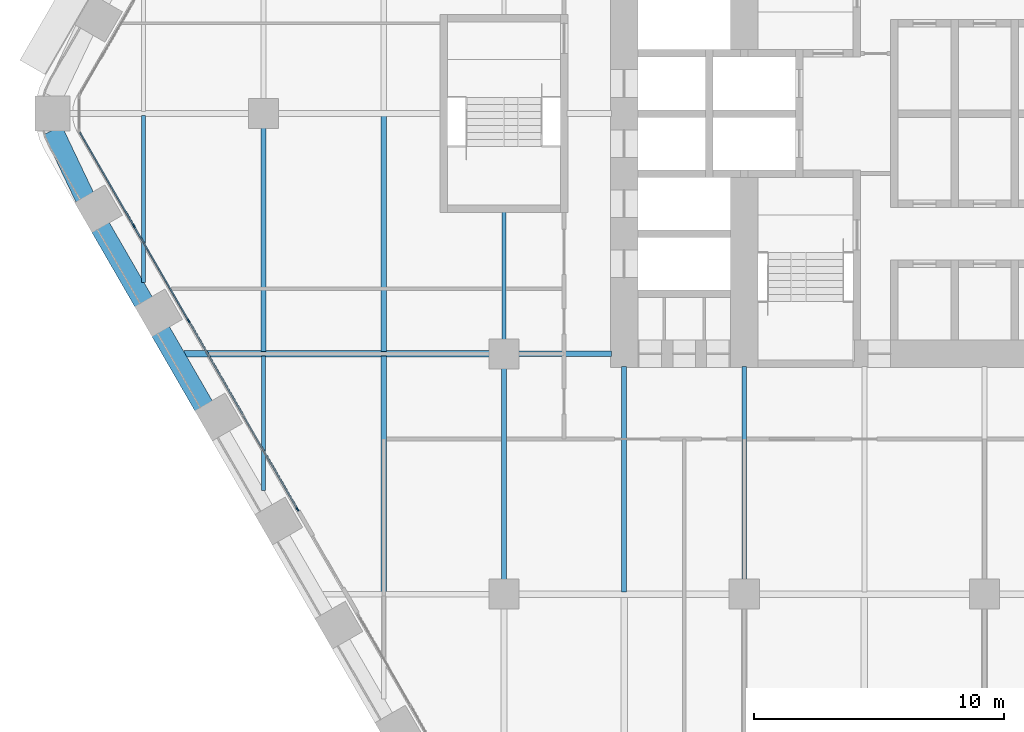
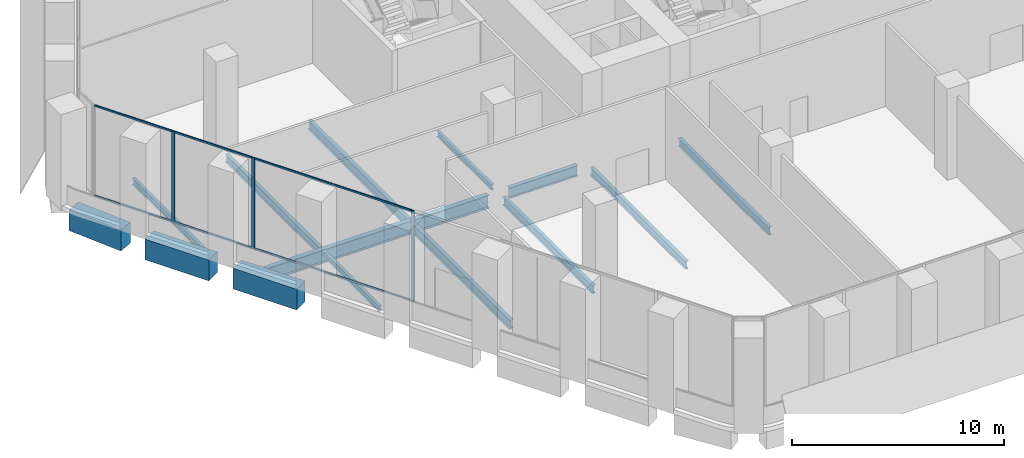
# One storey, part 3 of 27: 14 beams, 11 members, 1 element without a shape of its own.
"""IFC4 building model written with IfcOpenShell, lengths in metres."""

from ifc_helpers import new_model, si_unit, direction, frame, origin, origin_2d, place, context, subcontext, project, spatial, rectangle, i_section, extrude, material, material_profile, profile_set, type_object, element, aggregate, save


model = new_model("IFC4")

# Units and contexts
model_context = context("Model", 3, precision=1e-05, world=origin(), true_north=direction((0.0, 1.0)))
body_context = subcontext(model_context, "Body", "Model", "MODEL_VIEW")
ifc_project = project(units=[si_unit("LENGTHUNIT", "METRE"), si_unit("AREAUNIT", "SQUARE_METRE"), si_unit("VOLUMEUNIT", "CUBIC_METRE"), si_unit("PLANEANGLEUNIT", "RADIAN"), si_unit("MASSUNIT", "GRAM", prefix="KILO")], contexts=[model_context])

# Site, building, storey
site_placement = place(None, origin())
site = spatial("IfcSite", under=ifc_project, at=site_placement, CompositionType="ELEMENT")
building_placement = place(site_placement, origin())
building = spatial("IfcBuilding", under=site, at=building_placement, Name="Kolab Exchange Tower", CompositionType="ELEMENT")
storey_placement = place(building_placement, frame((0.0, 0.0, 44.39990234375)))
storey = spatial("IfcBuildingStorey", under=building, at=storey_placement, Name="L08", CompositionType="ELEMENT", Elevation=44.39990234375)

# Beams
ifc_material_1 = material(Name="Steel S355", Category="steel")
ifc_material_profile_1 = material_profile(ifc_material_1, i_section(OverallWidth=0.1650390625, OverallDepth=0.31005859375, WebThickness=0.005859375, FlangeThickness=0.009765625, at=origin_2d()), Name="W310X39")
ifc_profile_set_1 = profile_set([ifc_material_profile_1], Name="Steel S355")
beam_type_1 = type_object("IfcBeamType", Name="FLOOR BEAM W310X39", PredefinedType="BEAM", material=ifc_profile_set_1)
beam_1_placement = place(storey_placement, frame((-28.800048828125, -15.067626953125, -0.40478515625), z_axis=(0.0, 1.0, 0.0), x_axis=(-1.0, 0.0, 0.0)))
element("IfcBeam", 1, at=beam_1_placement, inside=storey, type_object=beam_type_1, Name="beam/L08/fr/002", PredefinedType="BEAM", context=body_context, shape_type="SweptSolid", body=[
    extrude(i_section(OverallWidth=0.1650390625, OverallDepth=0.31005859375, WebThickness=0.005859375, FlangeThickness=0.009765625, at=origin_2d()), origin(), (0.0, 0.0, 1.0), 5.3740234375),
])
beam_2_placement = place(storey_placement, frame((-19.199951171875, -9.0400390625, -0.40478515625), z_axis=(0.0, 1.0, 0.0), x_axis=(-1.0, 0.0, 0.0)))
element("IfcBeam", 2, at=beam_2_placement, inside=storey, type_object=beam_type_1, Name="beam/L08/fr/014", PredefinedType="BEAM", context=body_context, shape_type="SweptSolid", body=[
    extrude(i_section(OverallWidth=0.1650390625, OverallDepth=0.31005859375, WebThickness=0.005859375, FlangeThickness=0.009765625, at=origin_2d()), origin(), (0.0, 0.0, 1.0), 5.130126953125),
])
ifc_material_profile_2 = material_profile(ifc_material_1, i_section(OverallWidth=0.1708984375, OverallDepth=0.35498046875, WebThickness=0.007080078125, FlangeThickness=0.01171875, at=origin_2d()), Name="W360X51")
ifc_profile_set_2 = profile_set([ifc_material_profile_2], Name="Steel S355")
beam_type_2 = type_object("IfcBeamType", Name="FLOOR BEAM W360X51", PredefinedType="BEAM", material=ifc_profile_set_2)
beam_3_placement = place(storey_placement, frame((-33.60009765625, -6.75390625, -0.427490234375), z_axis=(0.0, 1.0, 0.0), x_axis=(-1.0, 0.0, 0.0)))
element("IfcBeam", 3, at=beam_3_placement, inside=storey, type_object=beam_type_2, Name="beam/L08/fr/000", PredefinedType="BEAM", context=body_context, shape_type="SweptSolid", body=[
    extrude(i_section(OverallWidth=0.1708984375, OverallDepth=0.35498046875, WebThickness=0.007080078125, FlangeThickness=0.01171875, at=origin_2d()), origin(), (0.0, 0.0, 1.0), 6.679931640625),
])
ifc_material_profile_3 = material_profile(ifc_material_1, i_section(OverallWidth=0.18994140625, OverallDepth=0.45703125, WebThickness=0.009033203125, FlangeThickness=0.014404296875, at=origin_2d()), Name="W460X74")
ifc_profile_set_3 = profile_set([ifc_material_profile_3], Name="Steel S355")
beam_type_3 = type_object("IfcBeamType", Name="FLOOR BEAM W460X74", PredefinedType="BEAM", material=ifc_profile_set_3)
beam_4_placement = place(storey_placement, frame((-28.800048828125, -9.506591796875, -0.478515625), z_axis=(0.0, 1.0, 0.0), x_axis=(-1.0, 0.0, 0.0)))
element("IfcBeam", 4, at=beam_4_placement, inside=storey, type_object=beam_type_3, Name="beam/L08/fr/003", PredefinedType="BEAM", context=body_context, shape_type="SweptSolid", body=[
    extrude(i_section(OverallWidth=0.18994140625, OverallDepth=0.45703125, WebThickness=0.009033203125, FlangeThickness=0.014404296875, at=origin_2d()), origin(), (0.0, 0.0, 1.0), 8.946533203125),
])
beam_5_placement = place(storey_placement, frame((-19.199951171875, -18.639892578125, -0.478515625), z_axis=(0.0, 1.0, 0.0), x_axis=(-1.0, 0.0, 0.0)))
element("IfcBeam", 5, at=beam_5_placement, inside=storey, type_object=beam_type_3, Name="beam/L08/fr/013", PredefinedType="BEAM", context=body_context, shape_type="SweptSolid", body=[
    extrude(i_section(OverallWidth=0.18994140625, OverallDepth=0.45703125, WebThickness=0.009033203125, FlangeThickness=0.014404296875, at=origin_2d()), origin(), (0.0, 0.0, 1.0), 8.47998046875),
])
beam_6_placement = place(storey_placement, frame((-14.39990234375, -19.113037109375, -0.478515625), z_axis=(0.0, 1.0, 0.0), x_axis=(-1.0, 0.0, 0.0)))
element("IfcBeam", 6, at=beam_6_placement, inside=storey, type_object=beam_type_3, Name="beam/L08/fr/019", PredefinedType="BEAM", context=body_context, shape_type="SweptSolid", body=[
    extrude(i_section(OverallWidth=0.18994140625, OverallDepth=0.45703125, WebThickness=0.009033203125, FlangeThickness=0.014404296875, at=origin_2d()), origin(), (0.0, 0.0, 1.0), 9.0029296875),
])
beam_7_placement = place(storey_placement, frame((-9.60009765625, -18.639892578125, -0.478515625), z_axis=(0.0, 1.0, 0.0), x_axis=(-1.0, 0.0, 0.0)))
element("IfcBeam", 7, at=beam_7_placement, inside=storey, type_object=beam_type_3, Name="beam/L08/fr/023", PredefinedType="BEAM", context=body_context, shape_type="SweptSolid", body=[
    extrude(i_section(OverallWidth=0.18994140625, OverallDepth=0.45703125, WebThickness=0.009033203125, FlangeThickness=0.014404296875, at=origin_2d()), origin(), (0.0, 0.0, 1.0), 8.52978515625),
])
ifc_material_profile_4 = material_profile(ifc_material_1, i_section(OverallWidth=0.208984375, OverallDepth=0.532958984375, WebThickness=0.01025390625, FlangeThickness=0.015625, at=origin_2d()), Name="W530X92")
ifc_profile_set_4 = profile_set([ifc_material_profile_4], Name="Steel S355")
beam_type_4 = type_object("IfcBeamType", Name="FLOOR BEAM W530X92", PredefinedType="BEAM", material=ifc_profile_set_4)
beam_8_placement = place(storey_placement, frame((-24.0, -19.1259765625, -0.516357421875), z_axis=(0.0, 1.0, 0.0), x_axis=(-1.0, 0.0, 0.0)))
element("IfcBeam", 8, at=beam_8_placement, inside=storey, type_object=beam_type_4, Name="beam/L08/fr/007", PredefinedType="BEAM", context=body_context, shape_type="SweptSolid", body=[
    extrude(i_section(OverallWidth=0.208984375, OverallDepth=0.532958984375, WebThickness=0.01025390625, FlangeThickness=0.015625, at=origin_2d()), origin(), (0.0, 0.0, 1.0), 9.432373046875),
])
beam_9_placement = place(storey_placement, frame((-24.0, -9.506591796875, -0.516357421875), z_axis=(0.0, 1.0, 0.0), x_axis=(-1.0, 0.0, 0.0)))
element("IfcBeam", 9, at=beam_9_placement, inside=storey, type_object=beam_type_4, Name="beam/L08/fr/008", PredefinedType="BEAM", context=body_context, shape_type="SweptSolid", body=[
    extrude(i_section(OverallWidth=0.208984375, OverallDepth=0.532958984375, WebThickness=0.01025390625, FlangeThickness=0.015625, at=origin_2d()), origin(), (0.0, 0.0, 1.0), 9.4326171875),
])
ifc_material_profile_5 = material_profile(ifc_material_1, i_section(OverallWidth=0.22802734375, OverallDepth=0.60791015625, WebThickness=0.01123046875, FlangeThickness=0.017333984375, at=origin_2d()), Name="W610X113")
ifc_profile_set_5 = profile_set([ifc_material_profile_5], Name="Steel S355")
beam_type_5 = type_object("IfcBeamType", Name="FLOOR GIRDER W610X113", PredefinedType="BEAM", material=ifc_profile_set_5)
beam_10_placement = place(storey_placement, frame((-18.639892578125, -9.60009765625, -0.553955078125), z_axis=(1.0, 0.0, 0.0), x_axis=(0.0, 1.0, 0.0)))
element("IfcBeam", 10, at=beam_10_placement, inside=storey, type_object=beam_type_5, Name="beam/L08/gd/007", PredefinedType="BEAM", context=body_context, shape_type="SweptSolid", body=[
    extrude(i_section(OverallWidth=0.22802734375, OverallDepth=0.60791015625, WebThickness=0.01123046875, FlangeThickness=0.017333984375, at=origin_2d()), origin(), (0.0, 0.0, 1.0), 3.72998046875),
])
ifc_material_profile_6 = material_profile(ifc_material_1, i_section(OverallWidth=0.26708984375, OverallDepth=0.761962890625, WebThickness=0.014404296875, FlangeThickness=0.021484375, at=origin_2d()), Name="W760X173")
ifc_profile_set_6 = profile_set([ifc_material_profile_6], Name="Steel S355")
beam_type_6 = type_object("IfcBeamType", Name="FLOOR GIRDER W760X173", PredefinedType="BEAM", material=ifc_profile_set_6)
beam_11_placement = place(storey_placement, frame((-31.9736328125, -9.60009765625, -0.630859375), z_axis=(1.0, 0.0, 0.0), x_axis=(0.0, 1.0, 0.0)))
element("IfcBeam", 11, at=beam_11_placement, inside=storey, type_object=beam_type_6, Name="beam/L08/gd/001", PredefinedType="BEAM", context=body_context, shape_type="SweptSolid", body=[
    extrude(i_section(OverallWidth=0.26708984375, OverallDepth=0.761962890625, WebThickness=0.014404296875, FlangeThickness=0.021484375, at=origin_2d()), origin(), (0.0, 0.0, 1.0), 12.213623046875),
])
ifc_material_2 = material(Name="Concrete C80/95", Category="concrete")
ifc_material_profile_7 = material_profile(ifc_material_2, rectangle(XDim=0.800048828125, YDim=1.199951171875, at=origin_2d()), Name="RC800X1200")
ifc_profile_set_7 = profile_set([ifc_material_profile_7], Name="Concrete C80/95")
beam_type_7 = type_object("IfcBeamType", Name="SPANDREL BEAM 800X1200 C80/95", PredefinedType="BEAM", material=ifc_profile_set_7)
beam_12_placement = place(storey_placement, frame((-31.18359375, -11.69921875, -0.849853515625), z_axis=(-0.499979528911, 0.866037222451, 0.0), x_axis=(-0.866037222451, -0.499979528911, 0.0)))
element("IfcBeam", 12, at=beam_12_placement, inside=storey, type_object=beam_type_7, Name="beam/L08/sp/F5-06", PredefinedType="BEAM", context=body_context, shape_type="SweptSolid", body=[
    extrude(rectangle(XDim=0.800048828125, YDim=1.199951171875, at=origin_2d()), origin(), (0.0, 0.0, 1.0), 3.480224609375),
])
beam_13_placement = place(storey_placement, frame((-33.58349609375, -7.542236328125, -0.849853515625), z_axis=(-0.500009906705, 0.86601968407, 0.0), x_axis=(-0.86601968407, -0.500009906705, 0.0)))
element("IfcBeam", 13, at=beam_13_placement, inside=storey, type_object=beam_type_7, Name="beam/L08/sp/F5-07", PredefinedType="BEAM", context=body_context, shape_type="SweptSolid", body=[
    extrude(rectangle(XDim=0.800048828125, YDim=1.199951171875, at=origin_2d()), origin(), (0.0, 0.0, 1.0), 3.47998046875),
])
beam_14_placement = place(storey_placement, frame((-35.93798828125, -3.35888671875, -0.849853515625), z_axis=(-0.429555669245, 0.903040379507, 0.0), x_axis=(-0.903040379507, -0.429555669245, 0.0)))
element("IfcBeam", 14, at=beam_14_placement, inside=storey, type_object=beam_type_7, Name="beam/L08/sp/F5-08", PredefinedType="BEAM", context=body_context, shape_type="SweptSolid", body=[
    extrude(rectangle(XDim=0.800048828125, YDim=1.199951171875, at=origin_2d()), origin(), (0.0, 0.0, 1.0), 2.984375),
])

# Curtain wall, members
ifc_material_3 = material(Name="Aluminium EN AW-6063 T6", Category="aluminium")
curtain_wall_type = type_object("IfcCurtainWallType", Name="UNITISED LOW ZONE CURTAIN WALL", PredefinedType="NOTDEFINED", material=ifc_material_3)
curtain_wall_placement = place(storey_placement, origin())
curtain_wall = element("IfcCurtainWall", 15, at=curtain_wall_placement, inside=storey, type_object=curtain_wall_type, Name="cw/L08/F5-2", PredefinedType="NOTDEFINED")
ifc_material_profile_8 = material_profile(ifc_material_3, rectangle(XDim=0.06005859375, YDim=0.159912109375, at=origin_2d()), Name="RECT 60X160")
ifc_profile_set_8 = profile_set([ifc_material_profile_8], Name="Aluminium EN AW-6063 T6")
member_type_1 = type_object("IfcMemberType", Name="UNITISED LOW ZONE MULLION 60 X 160", PredefinedType="MULLION", material=ifc_profile_set_8)
member_1_placement = place(storey_placement, frame((-27.44677734375, -15.811767578125, 0.0), z_axis=(0.0, 0.0, 1.0), x_axis=(-0.866025422102, -0.499999968274, 0.0)))
member_1 = element("IfcMember", 16, at=member_1_placement, type_object=member_type_1, Name="CW1 mullion 1", PredefinedType="MULLION", context=body_context, shape_type="SweptSolid", body=[
    extrude(rectangle(XDim=0.06005859375, YDim=0.159912109375, at=origin_2d()), origin(), (0.0, 0.0, 1.0), 5.25),
])
member_2_placement = place(storey_placement, frame((-31.798583984375, -8.27392578125, 0.0), z_axis=(0.0, 0.0, 1.0), x_axis=(-0.866025422102, -0.499999968274, 0.0)))
member_2 = element("IfcMember", 17, at=member_2_placement, type_object=member_type_1, Name="CW1 mullion 3", PredefinedType="MULLION", context=body_context, shape_type="SweptSolid", body=[
    extrude(rectangle(XDim=0.06005859375, YDim=0.159912109375, at=origin_2d()), origin(), (0.0, 0.0, 1.0), 5.25),
])
member_3_placement = place(storey_placement, frame((-33.982177734375, -4.491943359375, 0.0), z_axis=(0.0, 0.0, 1.0), x_axis=(-0.866025422102, -0.499999968274, 0.0)))
member_3 = element("IfcMember", 18, at=member_3_placement, type_object=member_type_1, Name="CW1 mullion 4", PredefinedType="MULLION", context=body_context, shape_type="SweptSolid", body=[
    extrude(rectangle(XDim=0.06005859375, YDim=0.159912109375, at=origin_2d()), origin(), (0.0, 0.0, 1.0), 5.25),
])
ifc_material_profile_9 = material_profile(ifc_material_3, rectangle(XDim=0.06005859375, YDim=0.10009765625, at=origin_2d()), Name="RECT 60X100")
ifc_profile_set_9 = profile_set([ifc_material_profile_9], Name="Aluminium EN AW-6063 T6")
member_type_2 = type_object("IfcMemberType", Name="UNITISED LOW ZONE TRANSOM 60 X 100", PredefinedType="USERDEFINED", material=ifc_profile_set_9)
member_4_placement = place(storey_placement, frame((-27.461669921875, -15.78564453125, 0.030029296875), z_axis=(-0.500000816281, 0.866024932504, 0.0), x_axis=(-0.866024932504, -0.500000816281, 0.0)))
member_4 = element("IfcMember", 19, at=member_4_placement, type_object=member_type_2, Name="CW1 transom 1.1", ObjectType="TRANSOM", PredefinedType="USERDEFINED", context=body_context, shape_type="SweptSolid", body=[
    extrude(rectangle(XDim=0.06005859375, YDim=0.10009765625, at=origin_2d()), origin(), (0.0, 0.0, 1.0), 4.27685546875),
])
member_5_placement = place(storey_placement, frame((-27.461669921875, -15.78564453125, 5.22021484375), z_axis=(-0.500000816281, 0.866024932504, 0.0), x_axis=(-0.866024932504, -0.500000816281, 0.0)))
member_5 = element("IfcMember", 20, at=member_5_placement, type_object=member_type_2, Name="CW1 transom 1.2", ObjectType="TRANSOM", PredefinedType="USERDEFINED", context=body_context, shape_type="SweptSolid", body=[
    extrude(rectangle(XDim=0.06005859375, YDim=0.10009765625, at=origin_2d()), origin(), (0.0, 0.0, 1.0), 4.27685546875),
])
member_6_placement = place(storey_placement, frame((-29.630126953125, -12.02978515625, 0.030029296875), z_axis=(-0.500010313095, 0.866019449435, 0.0), x_axis=(-0.866019449435, -0.500010313095, 0.0)))
member_6 = element("IfcMember", 21, at=member_6_placement, type_object=member_type_2, Name="CW1 transom 2.1", ObjectType="TRANSOM", PredefinedType="USERDEFINED", context=body_context, shape_type="SweptSolid", body=[
    extrude(rectangle(XDim=0.06005859375, YDim=0.10009765625, at=origin_2d()), origin(), (0.0, 0.0, 1.0), 4.30712890625),
])
member_7_placement = place(storey_placement, frame((-29.630126953125, -12.02978515625, 5.22021484375), z_axis=(-0.500010313095, 0.866019449435, 0.0), x_axis=(-0.866019449435, -0.500010313095, 0.0)))
member_7 = element("IfcMember", 22, at=member_7_placement, type_object=member_type_2, Name="CW1 transom 2.2", ObjectType="TRANSOM", PredefinedType="USERDEFINED", context=body_context, shape_type="SweptSolid", body=[
    extrude(rectangle(XDim=0.06005859375, YDim=0.10009765625, at=origin_2d()), origin(), (0.0, 0.0, 1.0), 4.30712890625),
])
member_8_placement = place(storey_placement, frame((-31.813720703125, -8.247802734375, 0.030029296875), z_axis=(-0.499967798808, 0.866043994353, 0.0), x_axis=(-0.866043994353, -0.499967798808, 0.0)))
member_8 = element("IfcMember", 23, at=member_8_placement, type_object=member_type_2, Name="CW1 transom 3.1", ObjectType="TRANSOM", PredefinedType="USERDEFINED", context=body_context, shape_type="SweptSolid", body=[
    extrude(rectangle(XDim=0.06005859375, YDim=0.10009765625, at=origin_2d()), origin(), (0.0, 0.0, 1.0), 4.306884765625),
])
member_9_placement = place(storey_placement, frame((-31.813720703125, -8.247802734375, 5.22021484375), z_axis=(-0.499967798808, 0.866043994353, 0.0), x_axis=(-0.866043994353, -0.499967798808, 0.0)))
member_9 = element("IfcMember", 24, at=member_9_placement, type_object=member_type_2, Name="CW1 transom 3.2", ObjectType="TRANSOM", PredefinedType="USERDEFINED", context=body_context, shape_type="SweptSolid", body=[
    extrude(rectangle(XDim=0.06005859375, YDim=0.10009765625, at=origin_2d()), origin(), (0.0, 0.0, 1.0), 4.306884765625),
])
member_10_placement = place(storey_placement, frame((-33.9970703125, -4.4658203125, 0.030029296875), z_axis=(-0.500043627578, 0.866000213925, 0.0), x_axis=(-0.866000213925, -0.500043627578, 0.0)))
member_10 = element("IfcMember", 25, at=member_10_placement, type_object=member_type_2, Name="CW1 transom 4.1", ObjectType="TRANSOM", PredefinedType="USERDEFINED", context=body_context, shape_type="SweptSolid", body=[
    extrude(rectangle(XDim=0.06005859375, YDim=0.10009765625, at=origin_2d()), origin(), (0.0, 0.0, 1.0), 4.27685546875),
])
member_11_placement = place(storey_placement, frame((-33.9970703125, -4.4658203125, 5.22021484375), z_axis=(-0.500043627578, 0.866000213925, 0.0), x_axis=(-0.866000213925, -0.500043627578, 0.0)))
member_11 = element("IfcMember", 26, at=member_11_placement, type_object=member_type_2, Name="CW1 transom 4.2", ObjectType="TRANSOM", PredefinedType="USERDEFINED", context=body_context, shape_type="SweptSolid", body=[
    extrude(rectangle(XDim=0.06005859375, YDim=0.10009765625, at=origin_2d()), origin(), (0.0, 0.0, 1.0), 4.27685546875),
])
aggregate(curtain_wall, [member_1, member_2, member_3, member_4, member_5, member_6, member_7, member_8, member_9, member_10, member_11])

save(model, "model.ifc")
